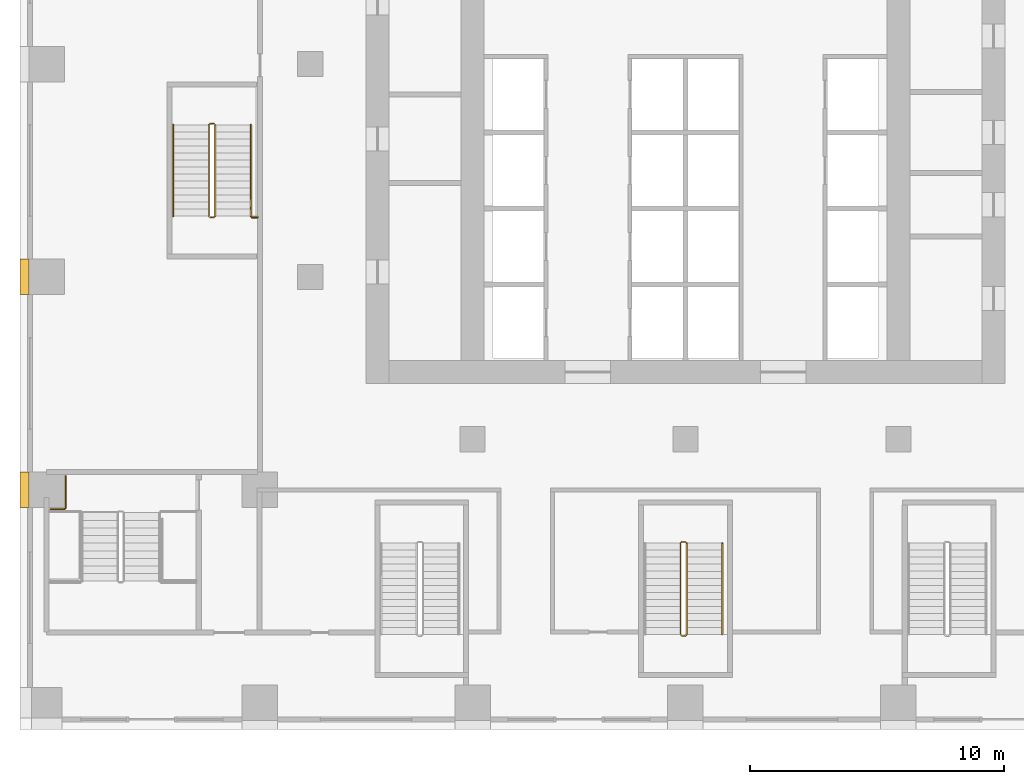
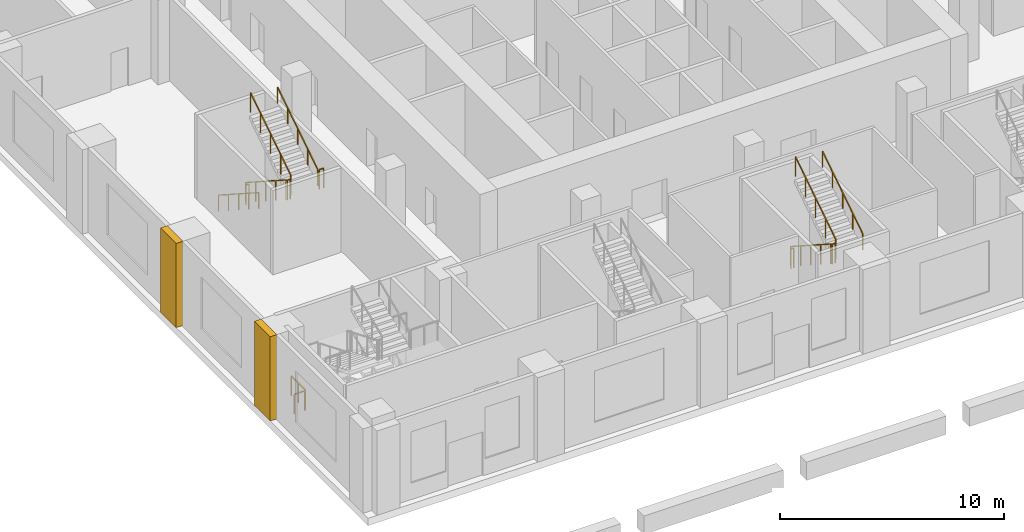
# One storey, part 14 of 21: 7 railings, 2 coverings.
"""IFC4 building model written with IfcOpenShell, lengths in metres."""

import ifcopenshell
import ifcopenshell.guid

model = None  # the IFC model being written
_history = None  # IfcOwnerHistory: only IFC2X3 demands one
_inside = {}  # id of a spatial element -> (the spatial element, [elements in it])
_under = {}  # id of a project, library or spatial element -> (it, [spatial elements below it])
_declared = {}  # id of a project -> (the project, [libraries it declares])
_typed = {}  # id of a type object -> (the type object, [elements of that type])
_made_of = {}  # id of a material, layer set ... -> (it, [elements and type objects made of it])


def new_model(schema):
    """Start an empty IFC model of exactly this schema.

    Asked for "IFC4X3", IfcOpenShell would pick the latest addendum, in which some entities
    have other attributes; the version numbers below select the first issue.
    IFC2X3 requires an IfcOwnerHistory on every rooted entity: one is made here for all.
    """
    global model, _history
    if schema == "IFC4X3":
        model = ifcopenshell.file(schema_version=(4, 3, 0, 0))
    else:
        model = ifcopenshell.file(schema=schema)
    _inside.clear()
    _under.clear()
    _declared.clear()
    _typed.clear()
    _made_of.clear()
    _history = None
    if model.schema == "IFC2X3":
        org = make("IfcOrganization", Name="unknown")
        user = make(
            "IfcPersonAndOrganization",
            ThePerson=make("IfcPerson", FamilyName="unknown"),
            TheOrganization=org,
        )
        app = make(
            "IfcApplication",
            ApplicationDeveloper=org,
            Version="unknown",
            ApplicationFullName="unknown",
            ApplicationIdentifier="unknown",
        )
        _history = make(
            "IfcOwnerHistory",
            OwningUser=user,
            OwningApplication=app,
            ChangeAction="ADDED",
            CreationDate=0,
        )
    return model


def make(cls, **values):
    """One entity of the class cls with the attributes given. An attribute that is None is left unset."""
    return model.create_entity(
        cls, **{name: value for name, value in values.items() if value is not None}
    )


def rooted(cls, **values):
    """An entity with a GlobalId (a new one), such as an element, a storey or a relation."""
    return make(cls, GlobalId=ifcopenshell.guid.new(), OwnerHistory=_history, **values)


def si_unit(unit_type, name, prefix=None):
    """IfcSIUnit, for example si_unit("LENGTHUNIT", "METRE", prefix="MILLI")."""
    return make("IfcSIUnit", UnitType=unit_type, Prefix=prefix, Name=name)


def assignment(units):
    """IfcUnitAssignment: the units of a project."""
    return None if units is None else make("IfcUnitAssignment", Units=units)


def point(xyz):
    """IfcCartesianPoint."""
    return None if xyz is None else make("IfcCartesianPoint", Coordinates=xyz)


def direction(xyz):
    """IfcDirection."""
    return None if xyz is None else make("IfcDirection", DirectionRatios=xyz)


def frame(location, z_axis=None, x_axis=None):
    """IfcAxis2Placement3D, a coordinate frame: its origin and axes. An axis left out is left unset."""
    return make(
        "IfcAxis2Placement3D",
        Location=point(location),
        Axis=direction(z_axis),
        RefDirection=direction(x_axis),
    )


def frame_2d(location, x_axis=None):
    """IfcAxis2Placement2D, a coordinate frame in the plane: its origin and x axis."""
    return make(
        "IfcAxis2Placement2D", Location=point(location), RefDirection=direction(x_axis)
    )


def origin():
    """The frame at (0, 0, 0) with its axes left unset."""
    return frame((0.0, 0.0, 0.0))


def origin_2d():
    """The frame at (0, 0) in the plane with its x axis left unset."""
    return frame_2d((0.0, 0.0))


def place(relative_to, where):
    """IfcLocalPlacement: puts the frame where relative to a parent placement (None: the world)."""
    return make(
        "IfcLocalPlacement", PlacementRelTo=relative_to, RelativePlacement=where
    )


def context(
    kind, dimensions, precision=None, world=None, true_north=None, identifier=None
):
    """IfcGeometricRepresentationContext, for example the 3D "Model" context."""
    return make(
        "IfcGeometricRepresentationContext",
        ContextIdentifier=identifier,
        ContextType=kind,
        CoordinateSpaceDimension=dimensions,
        Precision=precision,
        WorldCoordinateSystem=world,
        TrueNorth=true_north,
    )


def subcontext(parent, identifier, kind, view, scale=None):
    """IfcGeometricRepresentationSubContext, for example "Body" below "Model"."""
    return make(
        "IfcGeometricRepresentationSubContext",
        ContextIdentifier=identifier,
        ContextType=kind,
        ParentContext=parent,
        TargetScale=scale,
        TargetView=view,
    )


def project(units=None, contexts=None):
    """IfcProject with its units and contexts."""
    return rooted(
        "IfcProject",
        Name="project",
        RepresentationContexts=contexts,
        UnitsInContext=assignment(units),
    )


def spatial(cls, under=None, at=None, **own):
    """A site, building, storey or space (cls), placed at a placement, below another one or the project."""
    s = rooted(cls, ObjectPlacement=at, **own)
    if under is not None:
        _under.setdefault(under.id(), (under, []))[1].append(s)
    return s


def polyline(points):
    """IfcPolyline through the points."""
    return make("IfcPolyline", Points=[point(p) for p in points])


def profile(cls, at=None, kind="AREA", **sizes):
    """A parametric profile (cls). Its sizes go by their IFC names, for example OverallWidth=200.0."""
    return make(cls, ProfileType=kind, Position=at, **sizes)


def rectangle(**sizes):
    """IfcRectangleProfileDef."""
    return profile("IfcRectangleProfileDef", **sizes)


def outline(outer, holes=None, kind="AREA"):
    """IfcArbitraryClosedProfileDef: a profile drawn as a closed curve; with holes, ...WithVoids."""
    if holes is None:
        return make("IfcArbitraryClosedProfileDef", ProfileType=kind, OuterCurve=outer)
    return make(
        "IfcArbitraryProfileDefWithVoids",
        ProfileType=kind,
        OuterCurve=outer,
        InnerCurves=holes,
    )


def extrude(swept, where, along, depth):
    """IfcExtrudedAreaSolid: the profile swept, set in the frame where, extruded along a direction by depth."""
    return make(
        "IfcExtrudedAreaSolid",
        SweptArea=swept,
        Position=where,
        ExtrudedDirection=direction(along),
        Depth=depth,
    )


def shape(context_of_items, identifier, shape_type, items):
    """IfcShapeRepresentation: the items that make up one representation, for example the "Body"."""
    return make(
        "IfcShapeRepresentation",
        ContextOfItems=context_of_items,
        RepresentationIdentifier=identifier,
        RepresentationType=shape_type,
        Items=items,
    )


def material(Name=None, Category=None):
    """IfcMaterial."""
    return make("IfcMaterial", Name=Name, Category=Category)


def made_of(thing, what):
    """Note that an element or type object is made of a material, layer set ...; save() writes the relation."""
    if what is not None:
        _made_of.setdefault(what.id(), (what, []))[1].append(thing)
    return thing


def type_object(cls, material=None, **own):
    """A type object (cls), such as IfcWallType, which elements share."""
    return made_of(rooted(cls, **own), material)


def element(
    cls,
    number,
    at=None,
    inside=None,
    cuts=None,
    type_object=None,
    material=None,
    context=None,
    identifier="Body",
    shape_type=None,
    held_by="IfcProductDefinitionShape",
    body=None,
    shapes=None,
    **own,
):
    """One element of the class cls, such as IfcWall. Its Tag is "e" and its number.

    at: its placement. inside: the storey or other place that contains it. cuts: it is an
    opening in that element (IfcRelVoidsElement). A single representation is given by context,
    identifier, shape_type and body (its items); several are given by shapes. held_by: the class
    of the entity that holds the representations. save() writes the other relations.
    """
    e = rooted(cls, Tag="e%d" % number, ObjectPlacement=at, **own)
    if body is not None:
        shapes = [shape(context, identifier, shape_type, body)]
    if shapes is not None:
        e.Representation = make(held_by, Representations=shapes)
    if inside is not None:
        _inside.setdefault(inside.id(), (inside, []))[1].append(e)
    if cuts is not None:
        rooted(
            "IfcRelVoidsElement", RelatingBuildingElement=cuts, RelatedOpeningElement=e
        )
    if type_object is not None:
        _typed.setdefault(type_object.id(), (type_object, []))[1].append(e)
    return made_of(e, material)


def aggregate(whole, parts):
    """IfcRelAggregates: a whole, such as a stair, and the parts it consists of."""
    return rooted("IfcRelAggregates", RelatingObject=whole, RelatedObjects=parts)


def save(model, path):
    """Write the relations noted so far, then the file.

    IfcRelAggregates (storeys below a building ...), IfcRelContainedInSpatialStructure (elements
    in a storey), IfcRelDefinesByType, IfcRelAssociatesMaterial and IfcRelDeclares: one each for
    every whole, place, type object, material and project.
    """
    for whole, parts in _under.values():
        aggregate(whole, parts)
    for where, things in _inside.values():
        rooted(
            "IfcRelContainedInSpatialStructure",
            RelatedElements=things,
            RelatingStructure=where,
        )
    for kind, things in _typed.values():
        rooted("IfcRelDefinesByType", RelatedObjects=things, RelatingType=kind)
    for what, things in _made_of.values():
        rooted("IfcRelAssociatesMaterial", RelatedObjects=things, RelatingMaterial=what)
    for by, libraries in _declared.values():
        rooted("IfcRelDeclares", RelatingContext=by, RelatedDefinitions=libraries)
    model.write(path)


model = new_model("IFC4")

# Units and contexts
model_context = context("Model", 3, precision=1e-05, world=origin(), true_north=direction((0.0, 1.0)))
body_context = subcontext(model_context, "Body", "Model", "MODEL_VIEW")
ifc_project = project(units=[si_unit("LENGTHUNIT", "METRE"), si_unit("AREAUNIT", "SQUARE_METRE"), si_unit("VOLUMEUNIT", "CUBIC_METRE"), si_unit("PLANEANGLEUNIT", "RADIAN"), si_unit("MASSUNIT", "GRAM", prefix="KILO")], contexts=[model_context])

# Site, building, storey
site_placement = place(None, origin())
site = spatial("IfcSite", under=ifc_project, at=site_placement, CompositionType="ELEMENT")
building_placement = place(site_placement, origin())
building = spatial("IfcBuilding", under=site, at=building_placement, Name="Vermilion Ogive Tower", CompositionType="ELEMENT")
storey_placement = place(building_placement, frame((0.0, 0.0, 25.0)))
storey = spatial("IfcBuildingStorey", under=building, at=storey_placement, Name="L04", CompositionType="ELEMENT", Elevation=25.0)

# Railings
ifc_material_1 = material(Name="Steel S355 painted", Category="steel")
railing_type_1 = type_object("IfcRailingType", Name="Stair guard 1100", PredefinedType="GUARDRAIL", material=ifc_material_1)
railing_1_placement = place(storey_placement, frame((0.0, -14.64990234375, 0.0)))
element("IfcRailing", 1, at=railing_1_placement, inside=storey, type_object=railing_type_1, Name="L04 ST4 stair guard 4", PredefinedType="GUARDRAIL", context=body_context, shape_type="SweptSolid", body=[
    extrude(rectangle(XDim=0.048095703125, YDim=0.048095703125, at=origin_2d()), frame((0.0, 0.0, 1.076171875), z_axis=(-1.0, 0.0, 0.0), x_axis=(0.0, -1.0, 0.0)), (0.0, 0.0, 1.0), 0.14990234375),
    extrude(rectangle(XDim=0.048095703125, YDim=0.048095703125, at=origin_2d()), frame((-0.14990234375, 0.0, 1.076171875), z_axis=(-0.260684529273, -0.260684529273, 0.929562882432), x_axis=(0.707106781187, -0.707106781187, 0.0)), (0.0, 0.0, 1.0), 0.19189453125),
    extrude(rectangle(XDim=0.048095703125, YDim=0.048095703125, at=origin_2d()), frame((-0.199951171875, -0.050048828125, 1.25439453125), z_axis=(0.0, -0.840414717549, 0.541943818607), x_axis=(1.0, 0.0, 0.0)), (0.0, 0.0, 1.0), 4.28369140625),
    extrude(rectangle(XDim=0.048095703125, YDim=0.048095703125, at=origin_2d()), frame((-0.199951171875, -3.650146484375, 3.576171875), z_axis=(0.707106781187, -0.707106781187, 0.0), x_axis=(0.707106781187, 0.707106781187, 0.0)), (0.0, 0.0, 1.0), 0.07080078125),
    extrude(rectangle(XDim=0.048095703125, YDim=0.048095703125, at=origin_2d()), frame((-0.14990234375, -3.7001953125, 3.576171875), z_axis=(1.0, 0.0, 0.0), x_axis=(0.0, 1.0, 0.0)), (0.0, 0.0, 1.0), 0.14990234375),
    extrude(rectangle(XDim=0.048095703125, YDim=0.048095703125, at=origin_2d()), frame((0.0, -3.7001953125, 3.576171875), z_axis=(0.260684529273, 0.260684529273, 0.929562882432), x_axis=(-0.707106781187, 0.707106781187, 0.0)), (0.0, 0.0, 1.0), 0.19189453125),
    extrude(rectangle(XDim=0.048095703125, YDim=0.048095703125, at=origin_2d()), frame((0.050048828125, -3.650146484375, 3.75439453125), z_axis=(0.0, 0.840414717549, 0.541943818607), x_axis=(-1.0, 0.0, 0.0)), (0.0, 0.0, 1.0), 4.28369140625),
    extrude(rectangle(XDim=0.0419921875, YDim=0.0419921875, at=origin_2d()), origin(), (0.0, 0.0, 1.0), 1.052001953125),
    extrude(rectangle(XDim=0.0419921875, YDim=0.0419921875, at=origin_2d()), frame((-0.14990234375, 0.0, 0.0)), (0.0, 0.0, 1.0), 1.052001953125),
    extrude(rectangle(XDim=0.0419921875, YDim=0.0419921875, at=origin_2d()), frame((-0.199951171875, -0.050048828125, 0.178466796875)), (0.0, 0.0, 1.0), 1.052001953125),
    extrude(rectangle(XDim=0.0419921875, YDim=0.0419921875, at=origin_2d()), frame((-0.199951171875, -0.9501953125, 0.7587890625)), (0.0, 0.0, 1.0), 1.052001953125),
    extrude(rectangle(XDim=0.0419921875, YDim=0.0419921875, at=origin_2d()), frame((-0.199951171875, -1.85009765625, 1.33935546875)), (0.0, 0.0, 1.0), 1.052001953125),
    extrude(rectangle(XDim=0.0419921875, YDim=0.0419921875, at=origin_2d()), frame((-0.199951171875, -2.75, 1.919677734375)), (0.0, 0.0, 1.0), 1.052001953125),
    extrude(rectangle(XDim=0.0419921875, YDim=0.0419921875, at=origin_2d()), frame((-0.199951171875, -3.650146484375, 2.5)), (0.0, 0.0, 1.0), 1.052001953125),
    extrude(rectangle(XDim=0.0419921875, YDim=0.0419921875, at=origin_2d()), frame((-0.14990234375, -3.7001953125, 2.5)), (0.0, 0.0, 1.0), 1.052001953125),
    extrude(rectangle(XDim=0.0419921875, YDim=0.0419921875, at=origin_2d()), frame((0.0, -3.7001953125, 2.5)), (0.0, 0.0, 1.0), 1.052001953125),
    extrude(rectangle(XDim=0.0419921875, YDim=0.0419921875, at=origin_2d()), frame((0.050048828125, -3.650146484375, 2.678466796875)), (0.0, 0.0, 1.0), 1.052001953125),
    extrude(rectangle(XDim=0.0419921875, YDim=0.0419921875, at=origin_2d()), frame((0.050048828125, -2.75, 3.2587890625)), (0.0, 0.0, 1.0), 1.052001953125),
    extrude(rectangle(XDim=0.0419921875, YDim=0.0419921875, at=origin_2d()), frame((0.050048828125, -1.85009765625, 3.83935546875)), (0.0, 0.0, 1.0), 1.052001953125),
    extrude(rectangle(XDim=0.0419921875, YDim=0.0419921875, at=origin_2d()), frame((0.050048828125, -0.9501953125, 4.419677734375)), (0.0, 0.0, 1.0), 1.052001953125),
    extrude(rectangle(XDim=0.0419921875, YDim=0.0419921875, at=origin_2d()), frame((0.050048828125, -0.050048828125, 5.0)), (0.0, 0.0, 1.0), 1.052001953125),
])
railing_2_placement = place(storey_placement, frame((-18.60009765625, 1.85009765625, 0.0)))
element("IfcRailing", 2, at=railing_2_placement, inside=storey, type_object=railing_type_1, Name="L04 ST9 stair guard 4", PredefinedType="GUARDRAIL", context=body_context, shape_type="SweptSolid", body=[
    extrude(rectangle(XDim=0.048095703125, YDim=0.048095703125, at=origin_2d()), frame((0.0, 0.0, 1.076171875), z_axis=(-1.0, 0.0, 0.0), x_axis=(0.0, -1.0, 0.0)), (0.0, 0.0, 1.0), 0.14990234375),
    extrude(rectangle(XDim=0.048095703125, YDim=0.048095703125, at=origin_2d()), frame((-0.14990234375, 0.0, 1.076171875), z_axis=(-0.260684529273, -0.260684529273, 0.929562882432), x_axis=(0.707106781187, -0.707106781187, 0.0)), (0.0, 0.0, 1.0), 0.19189453125),
    extrude(rectangle(XDim=0.048095703125, YDim=0.048095703125, at=origin_2d()), frame((-0.199951171875, -0.050048828125, 1.25439453125), z_axis=(0.0, -0.840414717549, 0.541943818607), x_axis=(1.0, 0.0, 0.0)), (0.0, 0.0, 1.0), 4.28369140625),
    extrude(rectangle(XDim=0.048095703125, YDim=0.048095703125, at=origin_2d()), frame((-0.199951171875, -3.650146484375, 3.576171875), z_axis=(0.707106781187, -0.707106781187, 0.0), x_axis=(0.707106781187, 0.707106781187, 0.0)), (0.0, 0.0, 1.0), 0.07080078125),
    extrude(rectangle(XDim=0.048095703125, YDim=0.048095703125, at=origin_2d()), frame((-0.14990234375, -3.7001953125, 3.576171875), z_axis=(1.0, 0.0, 0.0), x_axis=(0.0, 1.0, 0.0)), (0.0, 0.0, 1.0), 0.14990234375),
    extrude(rectangle(XDim=0.048095703125, YDim=0.048095703125, at=origin_2d()), frame((0.0, -3.7001953125, 3.576171875), z_axis=(0.260684529273, 0.260684529273, 0.929562882432), x_axis=(-0.707106781187, 0.707106781187, 0.0)), (0.0, 0.0, 1.0), 0.19189453125),
    extrude(rectangle(XDim=0.048095703125, YDim=0.048095703125, at=origin_2d()), frame((0.050048828125, -3.650146484375, 3.75439453125), z_axis=(0.0, 0.840414717549, 0.541943818607), x_axis=(-1.0, 0.0, 0.0)), (0.0, 0.0, 1.0), 4.28369140625),
    extrude(rectangle(XDim=0.0419921875, YDim=0.0419921875, at=origin_2d()), origin(), (0.0, 0.0, 1.0), 1.052001953125),
    extrude(rectangle(XDim=0.0419921875, YDim=0.0419921875, at=origin_2d()), frame((-0.14990234375, 0.0, 0.0)), (0.0, 0.0, 1.0), 1.052001953125),
    extrude(rectangle(XDim=0.0419921875, YDim=0.0419921875, at=origin_2d()), frame((-0.199951171875, -0.050048828125, 0.178466796875)), (0.0, 0.0, 1.0), 1.052001953125),
    extrude(rectangle(XDim=0.0419921875, YDim=0.0419921875, at=origin_2d()), frame((-0.199951171875, -0.9501953125, 0.7587890625)), (0.0, 0.0, 1.0), 1.052001953125),
    extrude(rectangle(XDim=0.0419921875, YDim=0.0419921875, at=origin_2d()), frame((-0.199951171875, -1.85009765625, 1.33935546875)), (0.0, 0.0, 1.0), 1.052001953125),
    extrude(rectangle(XDim=0.0419921875, YDim=0.0419921875, at=origin_2d()), frame((-0.199951171875, -2.75, 1.919677734375)), (0.0, 0.0, 1.0), 1.052001953125),
    extrude(rectangle(XDim=0.0419921875, YDim=0.0419921875, at=origin_2d()), frame((-0.199951171875, -3.650146484375, 2.5)), (0.0, 0.0, 1.0), 1.052001953125),
    extrude(rectangle(XDim=0.0419921875, YDim=0.0419921875, at=origin_2d()), frame((-0.14990234375, -3.7001953125, 2.5)), (0.0, 0.0, 1.0), 1.052001953125),
    extrude(rectangle(XDim=0.0419921875, YDim=0.0419921875, at=origin_2d()), frame((0.0, -3.7001953125, 2.5)), (0.0, 0.0, 1.0), 1.052001953125),
    extrude(rectangle(XDim=0.0419921875, YDim=0.0419921875, at=origin_2d()), frame((0.050048828125, -3.650146484375, 2.678466796875)), (0.0, 0.0, 1.0), 1.052001953125),
    extrude(rectangle(XDim=0.0419921875, YDim=0.0419921875, at=origin_2d()), frame((0.050048828125, -2.75, 3.2587890625)), (0.0, 0.0, 1.0), 1.052001953125),
    extrude(rectangle(XDim=0.0419921875, YDim=0.0419921875, at=origin_2d()), frame((0.050048828125, -1.85009765625, 3.83935546875)), (0.0, 0.0, 1.0), 1.052001953125),
    extrude(rectangle(XDim=0.0419921875, YDim=0.0419921875, at=origin_2d()), frame((0.050048828125, -0.9501953125, 4.419677734375)), (0.0, 0.0, 1.0), 1.052001953125),
    extrude(rectangle(XDim=0.0419921875, YDim=0.0419921875, at=origin_2d()), frame((0.050048828125, -0.050048828125, 5.0)), (0.0, 0.0, 1.0), 1.052001953125),
])
railing_3_placement = place(storey_placement, frame((-17.10009765625, -1.85009765625, 2.5)))
element("IfcRailing", 3, at=railing_3_placement, inside=storey, type_object=railing_type_1, Name="L04 landing guard", PredefinedType="GUARDRAIL", context=body_context, shape_type="SweptSolid", body=[
    extrude(rectangle(XDim=0.048095703125, YDim=0.048095703125, at=origin_2d()), frame((0.0, 0.0, 1.076171875), z_axis=(1.0, 0.0, 0.0), x_axis=(0.0, 1.0, 0.0)), (0.0, 0.0, 1.0), 0.22509765625),
    extrude(rectangle(XDim=0.0419921875, YDim=0.0419921875, at=origin_2d()), origin(), (0.0, 0.0, 1.0), 1.052001953125),
    extrude(rectangle(XDim=0.0419921875, YDim=0.0419921875, at=origin_2d()), frame((0.22509765625, 0.0, 0.0)), (0.0, 0.0, 1.0), 1.052001953125),
])
railing_4_placement = place(storey_placement, frame((-25.0400390625, -13.360107421875, 0.0)))
element("IfcRailing", 4, at=railing_4_placement, inside=storey, type_object=railing_type_1, Name="L04 stair opening guard", PredefinedType="GUARDRAIL", context=body_context, shape_type="SweptSolid", body=[
    extrude(rectangle(XDim=0.048095703125, YDim=0.048095703125, at=origin_2d()), frame((0.0, 0.0, 1.076171875), z_axis=(1.0, 0.0, 0.0), x_axis=(0.0, 1.0, 0.0)), (0.0, 0.0, 1.0), 0.5400390625),
    extrude(rectangle(XDim=0.048095703125, YDim=0.048095703125, at=origin_2d()), frame((0.5400390625, 0.0, 1.076171875), z_axis=(0.707106781187, 0.707106781187, 0.0), x_axis=(-0.707106781187, 0.707106781187, 0.0)), (0.0, 0.0, 1.0), 0.0849609375),
    extrude(rectangle(XDim=0.048095703125, YDim=0.048095703125, at=origin_2d()), frame((0.60009765625, 0.06005859375, 1.076171875), z_axis=(0.0, 1.0, 0.0), x_axis=(-1.0, 0.0, 0.0)), (0.0, 0.0, 1.0), 1.240234375),
    extrude(rectangle(XDim=0.0419921875, YDim=0.0419921875, at=origin_2d()), origin(), (0.0, 0.0, 1.0), 1.052001953125),
    extrude(rectangle(XDim=0.0419921875, YDim=0.0419921875, at=origin_2d()), frame((0.5400390625, 0.0, 0.0)), (0.0, 0.0, 1.0), 1.052001953125),
    extrude(rectangle(XDim=0.0419921875, YDim=0.0419921875, at=origin_2d()), frame((0.60009765625, 0.06005859375, 0.0)), (0.0, 0.0, 1.0), 1.052001953125),
    extrude(rectangle(XDim=0.0419921875, YDim=0.0419921875, at=origin_2d()), frame((0.60009765625, 0.68017578125, 0.0)), (0.0, 0.0, 1.0), 1.052001953125),
    extrude(rectangle(XDim=0.0419921875, YDim=0.0419921875, at=origin_2d()), frame((0.60009765625, 1.30029296875, 0.0)), (0.0, 0.0, 1.0), 1.052001953125),
])
ifc_material_2 = material(Name="Stainless steel", Category="steel")
railing_type_2 = type_object("IfcRailingType", Name="Stair handrail 900", PredefinedType="HANDRAIL", material=ifc_material_2)
railing_5_placement = place(storey_placement, frame((1.449951171875, -18.300048828125, 2.678466796875)))
element("IfcRailing", 5, at=railing_5_placement, inside=storey, type_object=railing_type_2, Name="L04 ST4 stair handrail 2", PredefinedType="HANDRAIL", context=body_context, shape_type="SweptSolid", body=[
    extrude(rectangle(XDim=0.048095703125, YDim=0.048095703125, at=origin_2d()), frame((0.0, 0.0, 0.8759765625), z_axis=(0.0, 0.840414717549, 0.541943818607), x_axis=(-1.0, 0.0, 0.0)), (0.0, 0.0, 1.0), 4.28369140625),
    extrude(rectangle(XDim=0.0419921875, YDim=0.0419921875, at=origin_2d()), origin(), (0.0, 0.0, 1.0), 0.851806640625),
    extrude(rectangle(XDim=0.0419921875, YDim=0.0419921875, at=origin_2d()), frame((0.0, 0.89990234375, 0.580322265625)), (0.0, 0.0, 1.0), 0.851806640625),
    extrude(rectangle(XDim=0.0419921875, YDim=0.0419921875, at=origin_2d()), frame((0.0, 1.800048828125, 1.16064453125)), (0.0, 0.0, 1.0), 0.851806640625),
    extrude(rectangle(XDim=0.0419921875, YDim=0.0419921875, at=origin_2d()), frame((0.0, 2.7001953125, 1.7412109375)), (0.0, 0.0, 1.0), 0.851806640625),
    extrude(rectangle(XDim=0.0419921875, YDim=0.0419921875, at=origin_2d()), frame((0.0, 3.60009765625, 2.321533203125)), (0.0, 0.0, 1.0), 0.851806640625),
])
railing_6_placement = place(storey_placement, frame((-20.199951171875, 1.800048828125, 0.178466796875)))
element("IfcRailing", 6, at=railing_6_placement, inside=storey, type_object=railing_type_2, Name="L04 ST9 stair handrail 1", PredefinedType="HANDRAIL", context=body_context, shape_type="SweptSolid", body=[
    extrude(rectangle(XDim=0.048095703125, YDim=0.048095703125, at=origin_2d()), frame((0.0, 0.0, 0.8759765625), z_axis=(0.0, -0.840414717549, 0.541943818607), x_axis=(1.0, 0.0, 0.0)), (0.0, 0.0, 1.0), 4.28369140625),
    extrude(rectangle(XDim=0.0419921875, YDim=0.0419921875, at=origin_2d()), origin(), (0.0, 0.0, 1.0), 0.851806640625),
    extrude(rectangle(XDim=0.0419921875, YDim=0.0419921875, at=origin_2d()), frame((0.0, -0.89990234375, 0.580322265625)), (0.0, 0.0, 1.0), 0.851806640625),
    extrude(rectangle(XDim=0.0419921875, YDim=0.0419921875, at=origin_2d()), frame((0.0, -1.800048828125, 1.16064453125)), (0.0, 0.0, 1.0), 0.851806640625),
    extrude(rectangle(XDim=0.0419921875, YDim=0.0419921875, at=origin_2d()), frame((0.0, -2.7001953125, 1.7412109375)), (0.0, 0.0, 1.0), 0.851806640625),
    extrude(rectangle(XDim=0.0419921875, YDim=0.0419921875, at=origin_2d()), frame((0.0, -3.60009765625, 2.321533203125)), (0.0, 0.0, 1.0), 0.851806640625),
])
railing_7_placement = place(storey_placement, frame((-17.14990234375, -1.800048828125, 2.678466796875)))
element("IfcRailing", 7, at=railing_7_placement, inside=storey, type_object=railing_type_2, Name="L04 ST9 stair handrail 2", PredefinedType="HANDRAIL", context=body_context, shape_type="SweptSolid", body=[
    extrude(rectangle(XDim=0.048095703125, YDim=0.048095703125, at=origin_2d()), frame((0.0, 0.0, 0.8759765625), z_axis=(0.0, 0.840414717549, 0.541943818607), x_axis=(-1.0, 0.0, 0.0)), (0.0, 0.0, 1.0), 4.28369140625),
    extrude(rectangle(XDim=0.0419921875, YDim=0.0419921875, at=origin_2d()), origin(), (0.0, 0.0, 1.0), 0.851806640625),
    extrude(rectangle(XDim=0.0419921875, YDim=0.0419921875, at=origin_2d()), frame((0.0, 0.89990234375, 0.580322265625)), (0.0, 0.0, 1.0), 0.851806640625),
    extrude(rectangle(XDim=0.0419921875, YDim=0.0419921875, at=origin_2d()), frame((0.0, 1.800048828125, 1.16064453125)), (0.0, 0.0, 1.0), 0.851806640625),
    extrude(rectangle(XDim=0.0419921875, YDim=0.0419921875, at=origin_2d()), frame((0.0, 2.7001953125, 1.7412109375)), (0.0, 0.0, 1.0), 0.851806640625),
    extrude(rectangle(XDim=0.0419921875, YDim=0.0419921875, at=origin_2d()), frame((0.0, 3.60009765625, 2.321533203125)), (0.0, 0.0, 1.0), 0.851806640625),
])

# Coverings
ifc_material_3 = material(Name="Stone cladding", Category="masonry")
covering_type = type_object("IfcCoveringType", Name="Stone pier", PredefinedType="CLADDING", material=ifc_material_3)
covering_1_placement = place(storey_placement, origin())
element("IfcCovering", 8, at=covering_1_placement, inside=storey, type_object=covering_type, Name="Stone pier P-252-042", PredefinedType="CLADDING", context=body_context, shape_type="SweptSolid", body=[
    extrude(outline(polyline([(-25.89990234375, -4.89990234375), (-26.25, -4.89990234375), (-26.25, -3.5), (-25.89990234375, -3.5), (-25.89990234375, -4.89990234375), (-25.89990234375, -4.89990234375)])), origin(), (0.0, 0.0, 1.0), 4.60009765625),
])
covering_2_placement = place(storey_placement, origin())
element("IfcCovering", 9, at=covering_2_placement, inside=storey, type_object=covering_type, Name="Stone pier P-252-126", PredefinedType="CLADDING", context=body_context, shape_type="SweptSolid", body=[
    extrude(outline(polyline([(-25.89990234375, -13.300048828125), (-25.89990234375, -13.300048828125), (-26.25, -13.300048828125), (-26.25, -11.89990234375), (-25.89990234375, -11.89990234375), (-25.89990234375, -11.89990234375), (-25.89990234375, -13.300048828125)])), origin(), (0.0, 0.0, 1.0), 4.60009765625),
])

save(model, "model.ifc")
